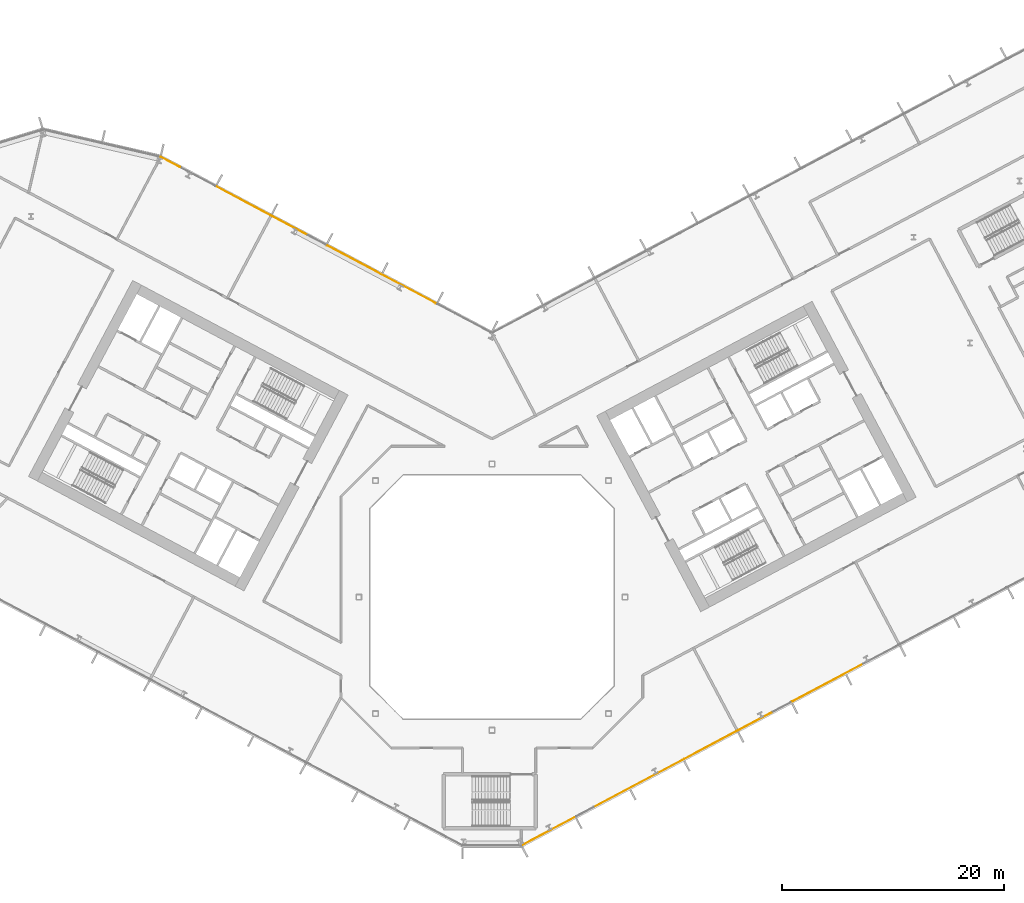
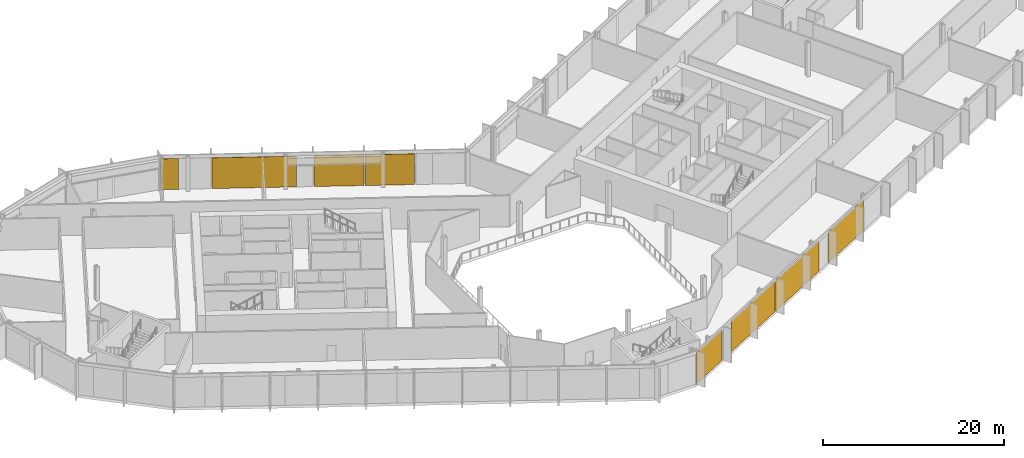
# One storey, part 26 of 31: 8 coverings, 2 elements without a shape of their own.
"""IFC4 building model written with IfcOpenShell, lengths in metres."""

from ifc_helpers import new_model, si_unit, direction, frame, origin, origin_2d, place, context, subcontext, project, spatial, rectangle, extrude, material, layer, layer_set, type_object, element, aggregate, save


model = new_model("IFC4")

# Units and contexts
model_context = context("Model", 3, precision=1e-05, world=origin(), true_north=direction((0.0, 1.0)))
body_context = subcontext(model_context, "Body", "Model", "MODEL_VIEW")
ifc_project = project(units=[si_unit("LENGTHUNIT", "METRE"), si_unit("AREAUNIT", "SQUARE_METRE"), si_unit("VOLUMEUNIT", "CUBIC_METRE"), si_unit("PLANEANGLEUNIT", "RADIAN"), si_unit("MASSUNIT", "GRAM", prefix="KILO")], contexts=[model_context])

# Site, building, storey
site_placement = place(None, origin())
site = spatial("IfcSite", under=ifc_project, at=site_placement, CompositionType="ELEMENT")
building_placement = place(site_placement, origin())
building = spatial("IfcBuilding", under=site, at=building_placement, Name="Cormorant Relay Tower", CompositionType="ELEMENT")
storey_placement = place(building_placement, frame((0.0, 0.0, 98.39990234375)))
storey = spatial("IfcBuildingStorey", under=building, at=storey_placement, Name="L19", CompositionType="ELEMENT", Elevation=98.39990234375)

# Curtain wall, coverings
ifc_material_1 = material(Name="Aluminium 6063-T6 anodised bronze", Category="aluminium")
ifc_layer_1 = layer(ifc_material_1, 0.199951171875)
ifc_layer_set_1 = layer_set([ifc_layer_1], Name="CW1 unitised bronze curtain wall with vertical fins")
curtain_wall_type = type_object("IfcCurtainWallType", Name="CW1 unitised bronze curtain wall with vertical fins", PredefinedType="NOTDEFINED", material=ifc_layer_set_1)
curtain_wall_1_placement = place(storey_placement, origin())
curtain_wall_1 = element("IfcCurtainWall", 1, at=curtain_wall_1_placement, inside=storey, type_object=curtain_wall_type, Name="CW1 curtain wall 2", PredefinedType="NOTDEFINED")
ifc_material_2 = material(Name="Pale bronze anodised aluminium insulated panel", Category="aluminium")
ifc_layer_2 = layer(ifc_material_2, 0.0400390625)
ifc_layer_set_2 = layer_set([ifc_layer_2], Name="CW1 pale bronze insulated panel 40")
covering_type = type_object("IfcCoveringType", Name="CW1 pale bronze insulated panel 40", PredefinedType="CLADDING", material=ifc_layer_set_2)
covering_1_placement = place(storey_placement, frame((5.091552734375, -21.099365234375, 0.000244140625), z_axis=(0.0, 0.0, 1.0), x_axis=(0.882947592859, 0.469471562786, 0.0)))
covering_1 = element("IfcCovering", 2, at=covering_1_placement, type_object=covering_type, Name="CW1 panel S00", PredefinedType="CLADDING", context=body_context, shape_type="SweptSolid", body=[
    extrude(rectangle(XDim=5.36181640625, YDim=0.0400390625, at=origin_2d()), origin(), (0.0, 0.0, 1.0), 4.14990234375),
])
covering_2_placement = place(storey_placement, frame((13.186279296875, -16.79541015625, 0.000244140625), z_axis=(0.0, 0.0, 1.0), x_axis=(0.882947592859, 0.469471562786, 0.0)))
covering_2 = element("IfcCovering", 3, at=covering_2_placement, type_object=covering_type, Name="CW1 panel S02", PredefinedType="CLADDING", context=body_context, shape_type="SweptSolid", body=[
    extrude(rectangle(XDim=9.07373046875, YDim=0.0400390625, at=origin_2d()), origin(), (0.0, 0.0, 1.0), 4.14990234375),
])
covering_3_placement = place(storey_placement, frame((21.330322265625, -12.465087890625, 0.000244140625), z_axis=(0.0, 0.0, 1.0), x_axis=(0.882947592859, 0.469471562786, 0.0)))
covering_3 = element("IfcCovering", 4, at=covering_3_placement, type_object=covering_type, Name="CW1 panel S03", PredefinedType="CLADDING", context=body_context, shape_type="SweptSolid", body=[
    extrude(rectangle(XDim=9.07373046875, YDim=0.0400390625, at=origin_2d()), origin(), (0.0, 0.0, 1.0), 4.14990234375),
])
covering_4_placement = place(storey_placement, frame((30.26904296875, -7.71240234375, 0.000244140625), z_axis=(0.0, 0.0, 1.0), x_axis=(0.882947592859, 0.469471562786, 0.0)))
covering_4 = element("IfcCovering", 5, at=covering_4_placement, type_object=covering_type, Name="CW1 panel S05", PredefinedType="CLADDING", context=body_context, shape_type="SweptSolid", body=[
    extrude(rectangle(XDim=7.273681640625, YDim=0.0400390625, at=origin_2d()), origin(), (0.0, 0.0, 1.0), 4.14990234375),
])
aggregate(curtain_wall_1, [covering_1, covering_2, covering_3, covering_4])

curtain_wall_2_placement = place(storey_placement, origin())
curtain_wall_2 = element("IfcCurtainWall", 6, at=curtain_wall_2_placement, inside=storey, type_object=curtain_wall_type, Name="CW1 curtain wall 7", PredefinedType="NOTDEFINED")
covering_5_placement = place(storey_placement, frame((-7.458984375, 27.772705078125, 0.000244140625), z_axis=(0.0, 0.0, 1.0), x_axis=(-0.882947592859, 0.469471562786, 0.0)))
covering_5 = element("IfcCovering", 7, at=covering_5_placement, type_object=covering_type, Name="CW1 panel S02", PredefinedType="CLADDING", context=body_context, shape_type="SweptSolid", body=[
    extrude(rectangle(XDim=5.489013671875, YDim=0.0400390625, at=origin_2d()), origin(), (0.0, 0.0, 1.0), 4.14990234375),
])
covering_6_placement = place(storey_placement, frame((-12.43798828125, 30.419921875, 0.000244140625), z_axis=(0.0, 0.0, 1.0), x_axis=(-0.882947592859, 0.469471562786, 0.0)))
covering_6 = element("IfcCovering", 8, at=covering_6_placement, type_object=covering_type, Name="CW1 panel S03", PredefinedType="CLADDING", context=body_context, shape_type="SweptSolid", body=[
    extrude(rectangle(XDim=5.489013671875, YDim=0.0400390625, at=origin_2d()), origin(), (0.0, 0.0, 1.0), 4.14990234375),
])
covering_7_placement = place(storey_placement, frame((-20.701171875, 34.813720703125, 0.000244140625), z_axis=(0.0, 0.0, 1.0), x_axis=(-0.882947592859, 0.469471562786, 0.0)))
covering_7 = element("IfcCovering", 9, at=covering_7_placement, type_object=covering_type, Name="CW1 panel S05", PredefinedType="CLADDING", context=body_context, shape_type="SweptSolid", body=[
    extrude(rectangle(XDim=9.327880859375, YDim=0.0400390625, at=origin_2d()), origin(), (0.0, 0.0, 1.0), 4.14990234375),
])
covering_8_placement = place(storey_placement, frame((-28.997314453125, 39.224853515625, 0.000244140625), z_axis=(0.0, 0.0, 1.0), x_axis=(-0.882947592859, 0.469471562786, 0.0)))
covering_8 = element("IfcCovering", 10, at=covering_8_placement, type_object=covering_type, Name="CW1 panel S07", PredefinedType="CLADDING", context=body_context, shape_type="SweptSolid", body=[
    extrude(rectangle(XDim=1.964111328125, YDim=0.0400390625, at=origin_2d()), origin(), (0.0, 0.0, 1.0), 4.14990234375),
])
aggregate(curtain_wall_2, [covering_5, covering_6, covering_7, covering_8])

save(model, "model.ifc")
